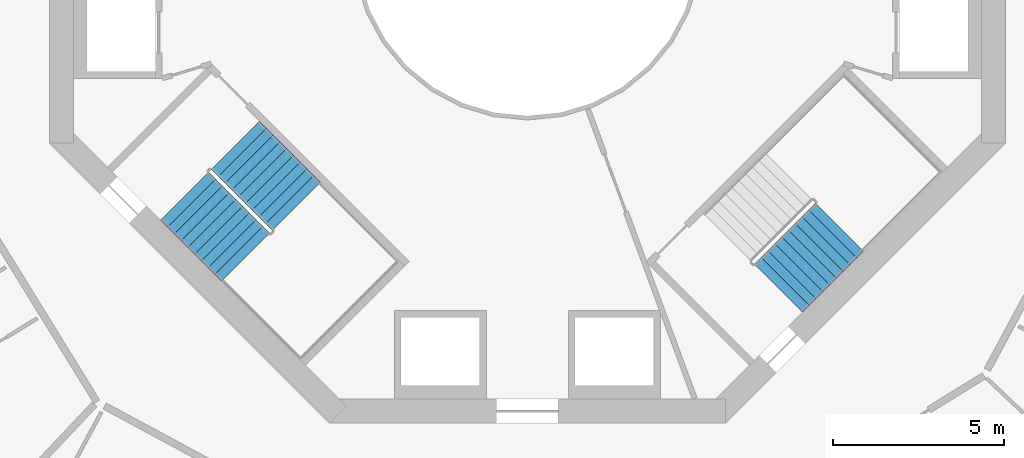
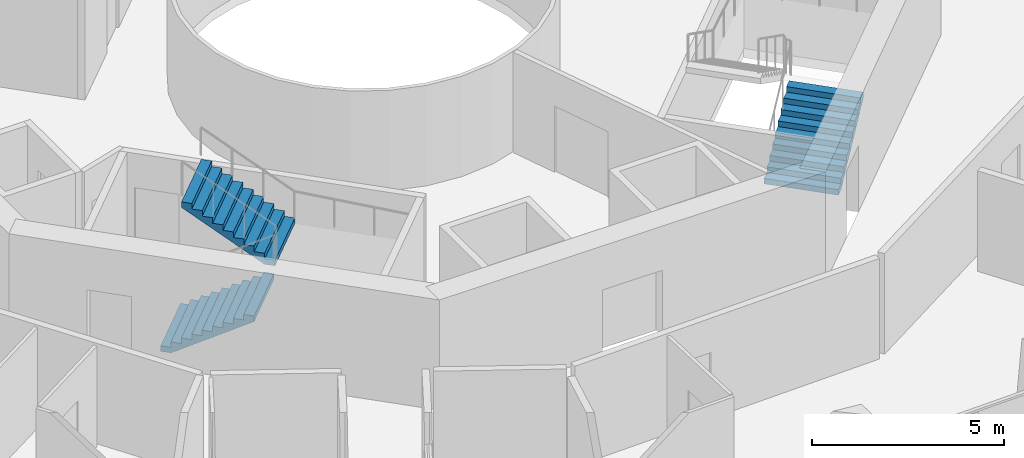
# One storey, part 20 of 22: 3 stair flights, 2 elements without a shape of their own.
"""IFC4 building model written with IfcOpenShell, lengths in metres."""

import ifcopenshell
import ifcopenshell.guid

model = None  # the IFC model being written
_history = None  # IfcOwnerHistory: only IFC2X3 demands one
_inside = {}  # id of a spatial element -> (the spatial element, [elements in it])
_under = {}  # id of a project, library or spatial element -> (it, [spatial elements below it])
_declared = {}  # id of a project -> (the project, [libraries it declares])
_typed = {}  # id of a type object -> (the type object, [elements of that type])
_made_of = {}  # id of a material, layer set ... -> (it, [elements and type objects made of it])


def new_model(schema):
    """Start an empty IFC model of exactly this schema.

    Asked for "IFC4X3", IfcOpenShell would pick the latest addendum, in which some entities
    have other attributes; the version numbers below select the first issue.
    IFC2X3 requires an IfcOwnerHistory on every rooted entity: one is made here for all.
    """
    global model, _history
    if schema == "IFC4X3":
        model = ifcopenshell.file(schema_version=(4, 3, 0, 0))
    else:
        model = ifcopenshell.file(schema=schema)
    _inside.clear()
    _under.clear()
    _declared.clear()
    _typed.clear()
    _made_of.clear()
    _history = None
    if model.schema == "IFC2X3":
        org = make("IfcOrganization", Name="unknown")
        user = make(
            "IfcPersonAndOrganization",
            ThePerson=make("IfcPerson", FamilyName="unknown"),
            TheOrganization=org,
        )
        app = make(
            "IfcApplication",
            ApplicationDeveloper=org,
            Version="unknown",
            ApplicationFullName="unknown",
            ApplicationIdentifier="unknown",
        )
        _history = make(
            "IfcOwnerHistory",
            OwningUser=user,
            OwningApplication=app,
            ChangeAction="ADDED",
            CreationDate=0,
        )
    return model


def make(cls, **values):
    """One entity of the class cls with the attributes given. An attribute that is None is left unset."""
    return model.create_entity(
        cls, **{name: value for name, value in values.items() if value is not None}
    )


def rooted(cls, **values):
    """An entity with a GlobalId (a new one), such as an element, a storey or a relation."""
    return make(cls, GlobalId=ifcopenshell.guid.new(), OwnerHistory=_history, **values)


def si_unit(unit_type, name, prefix=None):
    """IfcSIUnit, for example si_unit("LENGTHUNIT", "METRE", prefix="MILLI")."""
    return make("IfcSIUnit", UnitType=unit_type, Prefix=prefix, Name=name)


def assignment(units):
    """IfcUnitAssignment: the units of a project."""
    return None if units is None else make("IfcUnitAssignment", Units=units)


def point(xyz):
    """IfcCartesianPoint."""
    return None if xyz is None else make("IfcCartesianPoint", Coordinates=xyz)


def direction(xyz):
    """IfcDirection."""
    return None if xyz is None else make("IfcDirection", DirectionRatios=xyz)


def frame(location, z_axis=None, x_axis=None):
    """IfcAxis2Placement3D, a coordinate frame: its origin and axes. An axis left out is left unset."""
    return make(
        "IfcAxis2Placement3D",
        Location=point(location),
        Axis=direction(z_axis),
        RefDirection=direction(x_axis),
    )


def origin():
    """The frame at (0, 0, 0) with its axes left unset."""
    return frame((0.0, 0.0, 0.0))


def place(relative_to, where):
    """IfcLocalPlacement: puts the frame where relative to a parent placement (None: the world)."""
    return make(
        "IfcLocalPlacement", PlacementRelTo=relative_to, RelativePlacement=where
    )


def context(
    kind, dimensions, precision=None, world=None, true_north=None, identifier=None
):
    """IfcGeometricRepresentationContext, for example the 3D "Model" context."""
    return make(
        "IfcGeometricRepresentationContext",
        ContextIdentifier=identifier,
        ContextType=kind,
        CoordinateSpaceDimension=dimensions,
        Precision=precision,
        WorldCoordinateSystem=world,
        TrueNorth=true_north,
    )


def subcontext(parent, identifier, kind, view, scale=None):
    """IfcGeometricRepresentationSubContext, for example "Body" below "Model"."""
    return make(
        "IfcGeometricRepresentationSubContext",
        ContextIdentifier=identifier,
        ContextType=kind,
        ParentContext=parent,
        TargetScale=scale,
        TargetView=view,
    )


def project(units=None, contexts=None):
    """IfcProject with its units and contexts."""
    return rooted(
        "IfcProject",
        Name="project",
        RepresentationContexts=contexts,
        UnitsInContext=assignment(units),
    )


def spatial(cls, under=None, at=None, **own):
    """A site, building, storey or space (cls), placed at a placement, below another one or the project."""
    s = rooted(cls, ObjectPlacement=at, **own)
    if under is not None:
        _under.setdefault(under.id(), (under, []))[1].append(s)
    return s


def point_list(points):
    """IfcCartesianPointList2D or 3D."""
    cls = (
        "IfcCartesianPointList2D" if len(points[0]) == 2 else "IfcCartesianPointList3D"
    )
    return make(cls, CoordList=points)


def triangles(points, corners, closed=None, point_numbers=None):
    """IfcTriangulatedFaceSet: each triangle names its three corners, points numbered from 1."""
    return make(
        "IfcTriangulatedFaceSet",
        Coordinates=point_list(points),
        Closed=closed,
        CoordIndex=corners,
        PnIndex=point_numbers,
    )


def shape(context_of_items, identifier, shape_type, items):
    """IfcShapeRepresentation: the items that make up one representation, for example the "Body"."""
    return make(
        "IfcShapeRepresentation",
        ContextOfItems=context_of_items,
        RepresentationIdentifier=identifier,
        RepresentationType=shape_type,
        Items=items,
    )


def material(Name=None, Category=None):
    """IfcMaterial."""
    return make("IfcMaterial", Name=Name, Category=Category)


def made_of(thing, what):
    """Note that an element or type object is made of a material, layer set ...; save() writes the relation."""
    if what is not None:
        _made_of.setdefault(what.id(), (what, []))[1].append(thing)
    return thing


def type_object(cls, material=None, **own):
    """A type object (cls), such as IfcWallType, which elements share."""
    return made_of(rooted(cls, **own), material)


def element(
    cls,
    number,
    at=None,
    inside=None,
    cuts=None,
    type_object=None,
    material=None,
    context=None,
    identifier="Body",
    shape_type=None,
    held_by="IfcProductDefinitionShape",
    body=None,
    shapes=None,
    **own,
):
    """One element of the class cls, such as IfcWall. Its Tag is "e" and its number.

    at: its placement. inside: the storey or other place that contains it. cuts: it is an
    opening in that element (IfcRelVoidsElement). A single representation is given by context,
    identifier, shape_type and body (its items); several are given by shapes. held_by: the class
    of the entity that holds the representations. save() writes the other relations.
    """
    e = rooted(cls, Tag="e%d" % number, ObjectPlacement=at, **own)
    if body is not None:
        shapes = [shape(context, identifier, shape_type, body)]
    if shapes is not None:
        e.Representation = make(held_by, Representations=shapes)
    if inside is not None:
        _inside.setdefault(inside.id(), (inside, []))[1].append(e)
    if cuts is not None:
        rooted(
            "IfcRelVoidsElement", RelatingBuildingElement=cuts, RelatedOpeningElement=e
        )
    if type_object is not None:
        _typed.setdefault(type_object.id(), (type_object, []))[1].append(e)
    return made_of(e, material)


def aggregate(whole, parts):
    """IfcRelAggregates: a whole, such as a stair, and the parts it consists of."""
    return rooted("IfcRelAggregates", RelatingObject=whole, RelatedObjects=parts)


def save(model, path):
    """Write the relations noted so far, then the file.

    IfcRelAggregates (storeys below a building ...), IfcRelContainedInSpatialStructure (elements
    in a storey), IfcRelDefinesByType, IfcRelAssociatesMaterial and IfcRelDeclares: one each for
    every whole, place, type object, material and project.
    """
    for whole, parts in _under.values():
        aggregate(whole, parts)
    for where, things in _inside.values():
        rooted(
            "IfcRelContainedInSpatialStructure",
            RelatedElements=things,
            RelatingStructure=where,
        )
    for kind, things in _typed.values():
        rooted("IfcRelDefinesByType", RelatedObjects=things, RelatingType=kind)
    for what, things in _made_of.values():
        rooted("IfcRelAssociatesMaterial", RelatedObjects=things, RelatingMaterial=what)
    for by, libraries in _declared.values():
        rooted("IfcRelDeclares", RelatingContext=by, RelatedDefinitions=libraries)
    model.write(path)


model = new_model("IFC4")

# Units and contexts
model_context = context("Model", 3, precision=1e-05, world=origin(), true_north=direction((0.0, 1.0)))
body_context = subcontext(model_context, "Body", "Model", "MODEL_VIEW")
ifc_project = project(units=[si_unit("LENGTHUNIT", "METRE"), si_unit("AREAUNIT", "SQUARE_METRE"), si_unit("VOLUMEUNIT", "CUBIC_METRE"), si_unit("PLANEANGLEUNIT", "RADIAN"), si_unit("MASSUNIT", "GRAM", prefix="KILO")], contexts=[model_context])

# Site, building, storey
site_placement = place(None, origin())
site = spatial("IfcSite", under=ifc_project, at=site_placement, CompositionType="ELEMENT")
building_placement = place(site_placement, origin())
building = spatial("IfcBuilding", under=site, at=building_placement, Name="Verdalira Terraces Hotel", CompositionType="ELEMENT")
storey_placement = place(building_placement, frame((0.0, 0.0, 162.0)))
storey = spatial("IfcBuildingStorey", under=building, at=storey_placement, Name="L39", CompositionType="ELEMENT", Elevation=162.0)

# Stair, stair flights
ifc_material_1 = material(Name="Concrete C40", Category="concrete")
stair_type = type_object("IfcStairType", Name="Core stair 20 risers 2000 mm wide", PredefinedType="HALF_TURN_STAIR", material=ifc_material_1)
stair_1_placement = place(storey_placement, origin())
stair_1 = element("IfcStair", 1, at=stair_1_placement, inside=storey, type_object=stair_type, Name="L39 Exit stair ST2", PredefinedType="HALF_TURN_STAIR")
ifc_material_2 = material(Name="Concrete C40", Category="concrete")
stair_flight_type = type_object("IfcStairFlightType", Name="Core stair flight 20 risers 2000 mm wide", PredefinedType="STRAIGHT", material=ifc_material_2)
stair_flight_1_placement = place(storey_placement, frame((-10.041016, -7.354004, 0.0), z_axis=(0.0, 0.0, 1.0), x_axis=(0.707106781, -0.707106781, 0.0)))
stair_flight_1 = element("IfcStairFlight", 2, at=stair_flight_1_placement, type_object=stair_flight_type, Name="ST2 flight 1", NumberOfRisers=10, NumberOfTreads=9, PredefinedType="STRAIGHT", RiserHeight=0.175, TreadLength=0.28, context=body_context, shape_type="Tessellation", body=[
    triangles([(0.0, 1.0, 0.0), (0.282715, 1.0, 0.0), (2.52002, 1.0, 1.398193), (0.0, -1.0, 0.0), (0.282715, -1.0, 0.0), (2.52002, -1.0, 1.398193), (2.52002, 1.0, 1.574951), (2.23999, 1.0, 1.574951), (2.52002, -1.0, 1.574951), (2.23999, -1.0, 1.574951), (2.23999, 1.0, 1.399902), (2.23999, -1.0, 1.399902), (1.959961, 1.0, 1.399902), (1.959961, -1.0, 1.399902), (1.959961, 1.0, 1.225098), (1.959961, -1.0, 1.225098), (1.679932, 1.0, 1.225098), (1.679932, 1.0, 1.050049), (1.679932, -1.0, 1.225098), (1.679932, -1.0, 1.050049), (1.399902, 1.0, 1.050049), (1.399902, 1.0, 0.875), (1.399902, -1.0, 1.050049), (1.399902, -1.0, 0.875), (1.120117, 1.0, 0.875), (1.120117, 1.0, 0.699951), (1.120117, -1.0, 0.875), (1.120117, -1.0, 0.699951), (0.840088, 1.0, 0.699951), (0.840088, 1.0, 0.524902), (0.840088, -1.0, 0.699951), (0.840088, -1.0, 0.524902), (0.560059, 1.0, 0.524902), (0.560059, 1.0, 0.350098), (0.560059, -1.0, 0.524902), (0.560059, -1.0, 0.350098), (0.280029, 1.0, 0.350098), (0.280029, 1.0, 0.175049), (0.280029, -1.0, 0.350098), (0.280029, -1.0, 0.175049), (0.0, 1.0, 0.175049), (0.0, -1.0, 0.175049), (0.0, -0.9375, 0.0), (0.0, -0.9375, 0.175049), (0.0, -0.875, 0.0), (0.0, -0.875, 0.175049), (0.0, -0.8125, 0.0), (0.0, -0.8125, 0.175049), (0.0, -0.75, 0.0), (0.0, -0.75, 0.175049), (0.0, -0.6875, 0.0), (0.0, -0.6875, 0.175049), (0.0, -0.625, 0.0), (0.0, -0.625, 0.175049), (0.0, -0.5625, 0.0), (0.0, -0.5625, 0.175049), (0.0, -0.5, 0.0), (0.0, -0.5, 0.175049), (0.0, -0.4375, 0.0), (0.0, -0.4375, 0.175049), (0.0, -0.375, 0.0), (0.0, -0.375, 0.175049), (0.0, -0.3125, 0.0), (0.0, -0.3125, 0.175049), (0.0, -0.25, 0.0), (0.0, -0.25, 0.175049), (0.0, -0.1875, 0.0), (0.0, -0.1875, 0.175049), (0.0, -0.125, 0.0), (0.0, -0.125, 0.175049), (0.0, -0.0625, 0.0), (0.0, -0.0625, 0.175049), (0.0, 0.0, 0.0), (0.0, 0.0, 0.175049), (0.0, 0.0625, 0.0), (0.0, 0.0625, 0.175049), (0.0, 0.125, 0.0), (0.0, 0.125, 0.175049), (0.0, 0.1875, 0.0), (0.0, 0.1875, 0.175049), (0.0, 0.25, 0.0), (0.0, 0.25, 0.175049), (0.0, 0.3125, 0.0), (0.0, 0.3125, 0.175049), (0.0, 0.375, 0.0), (0.0, 0.375, 0.175049), (0.0, 0.4375, 0.0), (0.0, 0.4375, 0.175049), (0.0, 0.5, 0.0), (0.0, 0.5, 0.175049), (0.0, 0.5625, 0.0), (0.0, 0.5625, 0.175049), (0.0, 0.625, 0.0), (0.0, 0.625, 0.175049), (0.0, 0.6875, 0.0), (0.0, 0.6875, 0.175049), (0.0, 0.75, 0.0), (0.0, 0.75, 0.175049), (0.0, 0.8125, 0.0), (0.0, 0.8125, 0.175049), (0.0, 0.875, 0.0), (0.0, 0.875, 0.175049), (0.0, 0.9375, 0.0), (0.0, 0.9375, 0.175049), (2.52002, -0.9375, 1.574951), (2.52002, -0.875, 1.574951), (2.52002, -0.8125, 1.574951), (2.52002, -0.75, 1.574951), (2.52002, -0.6875, 1.574951), (2.52002, -0.625, 1.574951), (2.52002, -0.5625, 1.574951), (2.52002, -0.5, 1.574951), (2.52002, -0.4375, 1.574951), (2.52002, -0.375, 1.574951), (2.52002, -0.3125, 1.574951), (2.52002, -0.25, 1.574951), (2.52002, -0.1875, 1.574951), (2.52002, -0.125, 1.574951), (2.52002, -0.0625, 1.574951), (2.52002, 0.0, 1.574951), (2.52002, 0.0625, 1.574951), (2.52002, 0.125, 1.574951), (2.52002, 0.1875, 1.574951), (2.52002, 0.25, 1.574951), (2.52002, 0.3125, 1.574951), (2.52002, 0.375, 1.574951), (2.52002, 0.4375, 1.574951), (2.52002, 0.5, 1.574951), (2.52002, 0.5625, 1.574951), (2.52002, 0.625, 1.574951), (2.52002, 0.6875, 1.574951), (2.52002, 0.75, 1.574951), (2.52002, 0.8125, 1.574951), (2.52002, 0.875, 1.574951), (2.52002, 0.9375, 1.574951), (2.52002, -0.9375, 1.398193), (2.52002, -0.875, 1.398193), (2.52002, -0.8125, 1.398193), (2.52002, -0.75, 1.398193), (2.52002, -0.6875, 1.398193), (2.52002, -0.625, 1.398193), (2.52002, -0.5625, 1.398193), (2.52002, -0.5, 1.398193), (2.52002, -0.4375, 1.398193), (2.52002, -0.375, 1.398193), (2.52002, -0.3125, 1.398193), (2.52002, -0.25, 1.398193), (2.52002, -0.1875, 1.398193), (2.52002, -0.125, 1.398193), (2.52002, -0.0625, 1.398193), (2.52002, 0.0, 1.398193), (2.52002, 0.0625, 1.398193), (2.52002, 0.125, 1.398193), (2.52002, 0.1875, 1.398193), (2.52002, 0.25, 1.398193), (2.52002, 0.3125, 1.398193), (2.52002, 0.375, 1.398193), (2.52002, 0.4375, 1.398193), (2.52002, 0.5, 1.398193), (2.52002, 0.5625, 1.398193), (2.52002, 0.625, 1.398193), (2.52002, 0.6875, 1.398193), (2.52002, 0.75, 1.398193), (2.52002, 0.8125, 1.398193), (2.52002, 0.875, 1.398193), (2.52002, 0.9375, 1.398193)], [[1, 3, 2], [4, 5, 6], [3, 8, 7], [6, 9, 10], [3, 11, 8], [6, 10, 12], [3, 13, 11], [6, 12, 14], [3, 15, 13], [6, 14, 16], [15, 18, 17], [16, 19, 20], [3, 18, 15], [6, 16, 20], [18, 22, 21], [20, 23, 24], [3, 22, 18], [6, 20, 24], [22, 26, 25], [24, 27, 28], [3, 26, 22], [6, 24, 28], [26, 30, 29], [28, 31, 32], [3, 30, 26], [6, 28, 32], [1, 30, 3], [4, 6, 32], [30, 34, 33], [32, 35, 36], [34, 38, 37], [36, 39, 40], [30, 38, 34], [32, 36, 40], [1, 38, 30], [4, 32, 40], [38, 1, 41], [40, 42, 4], [4, 44, 43], [4, 42, 44], [43, 46, 45], [43, 44, 46], [45, 48, 47], [45, 46, 48], [47, 50, 49], [47, 48, 50], [49, 52, 51], [49, 50, 52], [51, 54, 53], [51, 52, 54], [53, 56, 55], [53, 54, 56], [55, 58, 57], [55, 56, 58], [57, 60, 59], [57, 58, 60], [59, 62, 61], [59, 60, 62], [61, 64, 63], [61, 62, 64], [63, 66, 65], [63, 64, 66], [65, 68, 67], [65, 66, 68], [67, 70, 69], [67, 68, 70], [69, 72, 71], [69, 70, 72], [71, 74, 73], [71, 72, 74], [73, 76, 75], [73, 74, 76], [75, 78, 77], [75, 76, 78], [77, 80, 79], [77, 78, 80], [79, 82, 81], [79, 80, 82], [81, 84, 83], [81, 82, 84], [83, 86, 85], [83, 84, 86], [85, 88, 87], [85, 86, 88], [87, 90, 89], [87, 88, 90], [89, 92, 91], [89, 90, 92], [91, 94, 93], [91, 92, 94], [93, 96, 95], [93, 94, 96], [95, 98, 97], [95, 96, 98], [97, 100, 99], [97, 98, 100], [99, 102, 101], [99, 100, 102], [101, 104, 103], [101, 102, 104], [103, 41, 1], [103, 104, 41], [42, 40, 44], [44, 40, 46], [46, 40, 48], [48, 40, 50], [50, 40, 52], [52, 40, 54], [54, 40, 56], [56, 40, 58], [58, 40, 60], [60, 40, 62], [62, 40, 64], [64, 40, 66], [66, 40, 68], [68, 40, 70], [70, 40, 72], [72, 40, 74], [74, 40, 76], [76, 40, 78], [78, 40, 80], [80, 40, 82], [82, 40, 84], [84, 40, 86], [86, 40, 88], [88, 40, 90], [90, 40, 92], [92, 40, 94], [94, 40, 96], [96, 40, 98], [98, 40, 100], [100, 40, 102], [102, 40, 104], [104, 40, 41], [41, 40, 38], [40, 37, 38], [40, 39, 37], [39, 34, 37], [39, 36, 34], [36, 33, 34], [36, 35, 33], [35, 30, 33], [35, 32, 30], [32, 29, 30], [32, 31, 29], [31, 26, 29], [31, 28, 26], [28, 25, 26], [28, 27, 25], [27, 22, 25], [27, 24, 22], [24, 21, 22], [24, 23, 21], [23, 18, 21], [23, 20, 18], [20, 17, 18], [20, 19, 17], [19, 15, 17], [19, 16, 15], [16, 13, 15], [16, 14, 13], [14, 11, 13], [14, 12, 11], [12, 8, 11], [12, 10, 8], [9, 105, 10], [105, 106, 10], [106, 107, 10], [107, 108, 10], [108, 109, 10], [109, 110, 10], [110, 111, 10], [111, 112, 10], [112, 113, 10], [113, 114, 10], [114, 115, 10], [115, 116, 10], [116, 117, 10], [117, 118, 10], [118, 119, 10], [119, 120, 10], [120, 121, 10], [121, 122, 10], [122, 123, 10], [123, 124, 10], [124, 125, 10], [125, 126, 10], [126, 127, 10], [127, 128, 10], [128, 129, 10], [129, 130, 10], [130, 131, 10], [131, 132, 10], [132, 133, 10], [133, 134, 10], [134, 135, 10], [135, 7, 10], [7, 8, 10], [9, 136, 105], [9, 6, 136], [105, 137, 106], [105, 136, 137], [106, 138, 107], [106, 137, 138], [107, 139, 108], [107, 138, 139], [108, 140, 109], [108, 139, 140], [109, 141, 110], [109, 140, 141], [110, 142, 111], [110, 141, 142], [111, 143, 112], [111, 142, 143], [112, 144, 113], [112, 143, 144], [113, 145, 114], [113, 144, 145], [114, 146, 115], [114, 145, 146], [115, 147, 116], [115, 146, 147], [116, 148, 117], [116, 147, 148], [117, 149, 118], [117, 148, 149], [118, 150, 119], [118, 149, 150], [119, 151, 120], [119, 150, 151], [120, 152, 121], [120, 151, 152], [121, 153, 122], [121, 152, 153], [122, 154, 123], [122, 153, 154], [123, 155, 124], [123, 154, 155], [124, 156, 125], [124, 155, 156], [125, 157, 126], [125, 156, 157], [126, 158, 127], [126, 157, 158], [127, 159, 128], [127, 158, 159], [128, 160, 129], [128, 159, 160], [129, 161, 130], [129, 160, 161], [130, 162, 131], [130, 161, 162], [131, 163, 132], [131, 162, 163], [132, 164, 133], [132, 163, 164], [133, 165, 134], [133, 164, 165], [134, 166, 135], [134, 165, 166], [135, 3, 7], [135, 166, 3], [6, 5, 136], [136, 5, 137], [137, 5, 138], [138, 5, 139], [139, 5, 140], [140, 5, 141], [141, 5, 142], [142, 5, 143], [143, 5, 144], [144, 5, 145], [145, 5, 146], [146, 5, 147], [147, 5, 148], [148, 5, 149], [149, 5, 150], [150, 5, 151], [151, 5, 152], [152, 5, 153], [153, 5, 154], [154, 5, 155], [155, 5, 156], [156, 5, 157], [157, 5, 158], [158, 5, 159], [159, 5, 160], [160, 5, 161], [161, 5, 162], [162, 5, 163], [163, 5, 164], [164, 5, 165], [165, 5, 166], [166, 5, 3], [3, 5, 2], [4, 43, 5], [43, 45, 5], [45, 47, 5], [47, 49, 5], [49, 51, 5], [51, 53, 5], [53, 55, 5], [55, 57, 5], [57, 59, 5], [59, 61, 5], [61, 63, 5], [63, 65, 5], [65, 67, 5], [67, 69, 5], [69, 71, 5], [71, 73, 5], [73, 75, 5], [75, 77, 5], [77, 79, 5], [79, 81, 5], [81, 83, 5], [83, 85, 5], [85, 87, 5], [87, 89, 5], [89, 91, 5], [91, 93, 5], [93, 95, 5], [95, 97, 5], [97, 99, 5], [99, 101, 5], [101, 103, 5], [103, 1, 5], [1, 2, 5]], closed=True),
])
stair_flight_2_placement = place(storey_placement, frame((-6.77417, -7.650879, 1.75), z_axis=(0.0, 0.0, 1.0), x_axis=(-0.707106781, 0.707106781, 0.0)))
stair_flight_2 = element("IfcStairFlight", 3, at=stair_flight_2_placement, type_object=stair_flight_type, Name="ST2 flight 2", NumberOfRisers=10, NumberOfTreads=9, PredefinedType="STRAIGHT", RiserHeight=0.175, TreadLength=0.28, context=body_context, shape_type="Tessellation", body=[
    triangles([(0.0, 1.0, 0.0), (0.282715, 1.0, 0.0), (2.52002, 1.0, 1.398193), (0.0, -1.0, 0.0), (0.282715, -1.0, 0.0), (2.52002, -1.0, 1.398193), (2.52002, 1.0, 1.574951), (2.23999, 1.0, 1.574951), (2.52002, -1.0, 1.574951), (2.23999, -1.0, 1.574951), (2.23999, 1.0, 1.399902), (2.23999, -1.0, 1.399902), (1.959961, 1.0, 1.399902), (1.959961, -1.0, 1.399902), (1.959961, 1.0, 1.225098), (1.959961, -1.0, 1.225098), (1.679932, 1.0, 1.225098), (1.679932, 1.0, 1.050049), (1.679932, -1.0, 1.225098), (1.679932, -1.0, 1.050049), (1.399902, 1.0, 1.050049), (1.399902, 1.0, 0.875), (1.399902, -1.0, 1.050049), (1.399902, -1.0, 0.875), (1.120117, 1.0, 0.875), (1.120117, 1.0, 0.699951), (1.120117, -1.0, 0.875), (1.120117, -1.0, 0.699951), (0.840088, 1.0, 0.699951), (0.840088, 1.0, 0.524902), (0.840088, -1.0, 0.699951), (0.840088, -1.0, 0.524902), (0.560059, 1.0, 0.524902), (0.560059, 1.0, 0.350098), (0.560059, -1.0, 0.524902), (0.560059, -1.0, 0.350098), (0.280029, 1.0, 0.350098), (0.280029, 1.0, 0.175049), (0.280029, -1.0, 0.350098), (0.280029, -1.0, 0.175049), (0.0, 1.0, 0.175049), (0.0, -1.0, 0.175049), (0.0, -0.9375, 0.0), (0.0, -0.9375, 0.175049), (0.0, -0.875, 0.0), (0.0, -0.875, 0.175049), (0.0, -0.8125, 0.0), (0.0, -0.8125, 0.175049), (0.0, -0.75, 0.0), (0.0, -0.75, 0.175049), (0.0, -0.6875, 0.0), (0.0, -0.6875, 0.175049), (0.0, -0.625, 0.0), (0.0, -0.625, 0.175049), (0.0, -0.5625, 0.0), (0.0, -0.5625, 0.175049), (0.0, -0.5, 0.0), (0.0, -0.5, 0.175049), (0.0, -0.4375, 0.0), (0.0, -0.4375, 0.175049), (0.0, -0.375, 0.0), (0.0, -0.375, 0.175049), (0.0, -0.3125, 0.0), (0.0, -0.3125, 0.175049), (0.0, -0.25, 0.0), (0.0, -0.25, 0.175049), (0.0, -0.1875, 0.0), (0.0, -0.1875, 0.175049), (0.0, -0.125, 0.0), (0.0, -0.125, 0.175049), (0.0, -0.0625, 0.0), (0.0, -0.0625, 0.175049), (0.0, 0.0, 0.0), (0.0, 0.0, 0.175049), (0.0, 0.0625, 0.0), (0.0, 0.0625, 0.175049), (0.0, 0.125, 0.0), (0.0, 0.125, 0.175049), (0.0, 0.1875, 0.0), (0.0, 0.1875, 0.175049), (0.0, 0.25, 0.0), (0.0, 0.25, 0.175049), (0.0, 0.3125, 0.0), (0.0, 0.3125, 0.175049), (0.0, 0.375, 0.0), (0.0, 0.375, 0.175049), (0.0, 0.4375, 0.0), (0.0, 0.4375, 0.175049), (0.0, 0.5, 0.0), (0.0, 0.5, 0.175049), (0.0, 0.5625, 0.0), (0.0, 0.5625, 0.175049), (0.0, 0.625, 0.0), (0.0, 0.625, 0.175049), (0.0, 0.6875, 0.0), (0.0, 0.6875, 0.175049), (0.0, 0.75, 0.0), (0.0, 0.75, 0.175049), (0.0, 0.8125, 0.0), (0.0, 0.8125, 0.175049), (0.0, 0.875, 0.0), (0.0, 0.875, 0.175049), (0.0, 0.9375, 0.0), (0.0, 0.9375, 0.175049), (2.52002, -0.9375, 1.574951), (2.52002, -0.875, 1.574951), (2.52002, -0.8125, 1.574951), (2.52002, -0.75, 1.574951), (2.52002, -0.6875, 1.574951), (2.52002, -0.625, 1.574951), (2.52002, -0.5625, 1.574951), (2.52002, -0.5, 1.574951), (2.52002, -0.4375, 1.574951), (2.52002, -0.375, 1.574951), (2.52002, -0.3125, 1.574951), (2.52002, -0.25, 1.574951), (2.52002, -0.1875, 1.574951), (2.52002, -0.125, 1.574951), (2.52002, -0.0625, 1.574951), (2.52002, 0.0, 1.574951), (2.52002, 0.0625, 1.574951), (2.52002, 0.125, 1.574951), (2.52002, 0.1875, 1.574951), (2.52002, 0.25, 1.574951), (2.52002, 0.3125, 1.574951), (2.52002, 0.375, 1.574951), (2.52002, 0.4375, 1.574951), (2.52002, 0.5, 1.574951), (2.52002, 0.5625, 1.574951), (2.52002, 0.625, 1.574951), (2.52002, 0.6875, 1.574951), (2.52002, 0.75, 1.574951), (2.52002, 0.8125, 1.574951), (2.52002, 0.875, 1.574951), (2.52002, 0.9375, 1.574951), (2.52002, -0.9375, 1.398193), (2.52002, -0.875, 1.398193), (2.52002, -0.8125, 1.398193), (2.52002, -0.75, 1.398193), (2.52002, -0.6875, 1.398193), (2.52002, -0.625, 1.398193), (2.52002, -0.5625, 1.398193), (2.52002, -0.5, 1.398193), (2.52002, -0.4375, 1.398193), (2.52002, -0.375, 1.398193), (2.52002, -0.3125, 1.398193), (2.52002, -0.25, 1.398193), (2.52002, -0.1875, 1.398193), (2.52002, -0.125, 1.398193), (2.52002, -0.0625, 1.398193), (2.52002, 0.0, 1.398193), (2.52002, 0.0625, 1.398193), (2.52002, 0.125, 1.398193), (2.52002, 0.1875, 1.398193), (2.52002, 0.25, 1.398193), (2.52002, 0.3125, 1.398193), (2.52002, 0.375, 1.398193), (2.52002, 0.4375, 1.398193), (2.52002, 0.5, 1.398193), (2.52002, 0.5625, 1.398193), (2.52002, 0.625, 1.398193), (2.52002, 0.6875, 1.398193), (2.52002, 0.75, 1.398193), (2.52002, 0.8125, 1.398193), (2.52002, 0.875, 1.398193), (2.52002, 0.9375, 1.398193)], [[1, 3, 2], [4, 5, 6], [3, 8, 7], [6, 9, 10], [3, 11, 8], [6, 10, 12], [3, 13, 11], [6, 12, 14], [3, 15, 13], [6, 14, 16], [15, 18, 17], [16, 19, 20], [3, 18, 15], [6, 16, 20], [18, 22, 21], [20, 23, 24], [3, 22, 18], [6, 20, 24], [22, 26, 25], [24, 27, 28], [3, 26, 22], [6, 24, 28], [26, 30, 29], [28, 31, 32], [3, 30, 26], [6, 28, 32], [1, 30, 3], [4, 6, 32], [30, 34, 33], [32, 35, 36], [34, 38, 37], [36, 39, 40], [30, 38, 34], [32, 36, 40], [1, 38, 30], [4, 32, 40], [38, 1, 41], [40, 42, 4], [4, 44, 43], [4, 42, 44], [43, 46, 45], [43, 44, 46], [45, 48, 47], [45, 46, 48], [47, 50, 49], [47, 48, 50], [49, 52, 51], [49, 50, 52], [51, 54, 53], [51, 52, 54], [53, 56, 55], [53, 54, 56], [55, 58, 57], [55, 56, 58], [57, 60, 59], [57, 58, 60], [59, 62, 61], [59, 60, 62], [61, 64, 63], [61, 62, 64], [63, 66, 65], [63, 64, 66], [65, 68, 67], [65, 66, 68], [67, 70, 69], [67, 68, 70], [69, 72, 71], [69, 70, 72], [71, 74, 73], [71, 72, 74], [73, 76, 75], [73, 74, 76], [75, 78, 77], [75, 76, 78], [77, 80, 79], [77, 78, 80], [79, 82, 81], [79, 80, 82], [81, 84, 83], [81, 82, 84], [83, 86, 85], [83, 84, 86], [85, 88, 87], [85, 86, 88], [87, 90, 89], [87, 88, 90], [89, 92, 91], [89, 90, 92], [91, 94, 93], [91, 92, 94], [93, 96, 95], [93, 94, 96], [95, 98, 97], [95, 96, 98], [97, 100, 99], [97, 98, 100], [99, 102, 101], [99, 100, 102], [101, 104, 103], [101, 102, 104], [103, 41, 1], [103, 104, 41], [42, 40, 44], [44, 40, 46], [46, 40, 48], [48, 40, 50], [50, 40, 52], [52, 40, 54], [54, 40, 56], [56, 40, 58], [58, 40, 60], [60, 40, 62], [62, 40, 64], [64, 40, 66], [66, 40, 68], [68, 40, 70], [70, 40, 72], [72, 40, 74], [74, 40, 76], [76, 40, 78], [78, 40, 80], [80, 40, 82], [82, 40, 84], [84, 40, 86], [86, 40, 88], [88, 40, 90], [90, 40, 92], [92, 40, 94], [94, 40, 96], [96, 40, 98], [98, 40, 100], [100, 40, 102], [102, 40, 104], [104, 40, 41], [41, 40, 38], [40, 37, 38], [40, 39, 37], [39, 34, 37], [39, 36, 34], [36, 33, 34], [36, 35, 33], [35, 30, 33], [35, 32, 30], [32, 29, 30], [32, 31, 29], [31, 26, 29], [31, 28, 26], [28, 25, 26], [28, 27, 25], [27, 22, 25], [27, 24, 22], [24, 21, 22], [24, 23, 21], [23, 18, 21], [23, 20, 18], [20, 17, 18], [20, 19, 17], [19, 15, 17], [19, 16, 15], [16, 13, 15], [16, 14, 13], [14, 11, 13], [14, 12, 11], [12, 8, 11], [12, 10, 8], [9, 105, 10], [105, 106, 10], [106, 107, 10], [107, 108, 10], [108, 109, 10], [109, 110, 10], [110, 111, 10], [111, 112, 10], [112, 113, 10], [113, 114, 10], [114, 115, 10], [115, 116, 10], [116, 117, 10], [117, 118, 10], [118, 119, 10], [119, 120, 10], [120, 121, 10], [121, 122, 10], [122, 123, 10], [123, 124, 10], [124, 125, 10], [125, 126, 10], [126, 127, 10], [127, 128, 10], [128, 129, 10], [129, 130, 10], [130, 131, 10], [131, 132, 10], [132, 133, 10], [133, 134, 10], [134, 135, 10], [135, 7, 10], [7, 8, 10], [9, 136, 105], [9, 6, 136], [105, 137, 106], [105, 136, 137], [106, 138, 107], [106, 137, 138], [107, 139, 108], [107, 138, 139], [108, 140, 109], [108, 139, 140], [109, 141, 110], [109, 140, 141], [110, 142, 111], [110, 141, 142], [111, 143, 112], [111, 142, 143], [112, 144, 113], [112, 143, 144], [113, 145, 114], [113, 144, 145], [114, 146, 115], [114, 145, 146], [115, 147, 116], [115, 146, 147], [116, 148, 117], [116, 147, 148], [117, 149, 118], [117, 148, 149], [118, 150, 119], [118, 149, 150], [119, 151, 120], [119, 150, 151], [120, 152, 121], [120, 151, 152], [121, 153, 122], [121, 152, 153], [122, 154, 123], [122, 153, 154], [123, 155, 124], [123, 154, 155], [124, 156, 125], [124, 155, 156], [125, 157, 126], [125, 156, 157], [126, 158, 127], [126, 157, 158], [127, 159, 128], [127, 158, 159], [128, 160, 129], [128, 159, 160], [129, 161, 130], [129, 160, 161], [130, 162, 131], [130, 161, 162], [131, 163, 132], [131, 162, 163], [132, 164, 133], [132, 163, 164], [133, 165, 134], [133, 164, 165], [134, 166, 135], [134, 165, 166], [135, 3, 7], [135, 166, 3], [6, 5, 136], [136, 5, 137], [137, 5, 138], [138, 5, 139], [139, 5, 140], [140, 5, 141], [141, 5, 142], [142, 5, 143], [143, 5, 144], [144, 5, 145], [145, 5, 146], [146, 5, 147], [147, 5, 148], [148, 5, 149], [149, 5, 150], [150, 5, 151], [151, 5, 152], [152, 5, 153], [153, 5, 154], [154, 5, 155], [155, 5, 156], [156, 5, 157], [157, 5, 158], [158, 5, 159], [159, 5, 160], [160, 5, 161], [161, 5, 162], [162, 5, 163], [163, 5, 164], [164, 5, 165], [165, 5, 166], [166, 5, 3], [3, 5, 2], [4, 43, 5], [43, 45, 5], [45, 47, 5], [47, 49, 5], [49, 51, 5], [51, 53, 5], [53, 55, 5], [55, 57, 5], [57, 59, 5], [59, 61, 5], [61, 63, 5], [63, 65, 5], [65, 67, 5], [67, 69, 5], [69, 71, 5], [71, 73, 5], [73, 75, 5], [75, 77, 5], [77, 79, 5], [79, 81, 5], [81, 83, 5], [83, 85, 5], [85, 87, 5], [87, 89, 5], [89, 91, 5], [91, 93, 5], [93, 95, 5], [95, 97, 5], [97, 99, 5], [99, 101, 5], [101, 103, 5], [103, 1, 5], [1, 2, 5]], closed=True),
])
aggregate(stair_1, [stair_flight_1, stair_flight_2])

# Stair, stair flight
stair_2_placement = place(storey_placement, origin())
stair_2 = element("IfcStair", 4, at=stair_2_placement, inside=storey, type_object=stair_type, Name="L39 Exit stair ST3", PredefinedType="HALF_TURN_STAIR")
stair_flight_3_placement = place(storey_placement, frame((7.354004, -10.041016, 0.0), z_axis=(0.0, 0.0, 1.0), x_axis=(0.707106781, 0.707106781, 0.0)))
stair_flight_3 = element("IfcStairFlight", 5, at=stair_flight_3_placement, type_object=stair_flight_type, Name="ST3 flight 1", NumberOfRisers=10, NumberOfTreads=9, PredefinedType="STRAIGHT", RiserHeight=0.175, TreadLength=0.28, context=body_context, shape_type="Tessellation", body=[
    triangles([(0.0, 1.0, 0.0), (0.282715, 1.0, 0.0), (2.52002, 1.0, 1.398193), (0.0, -1.0, 0.0), (0.282715, -1.0, 0.0), (2.52002, -1.0, 1.398193), (2.52002, 1.0, 1.574951), (2.23999, 1.0, 1.574951), (2.52002, -1.0, 1.574951), (2.23999, -1.0, 1.574951), (2.23999, 1.0, 1.399902), (2.23999, -1.0, 1.399902), (1.959961, 1.0, 1.399902), (1.959961, -1.0, 1.399902), (1.959961, 1.0, 1.225098), (1.959961, -1.0, 1.225098), (1.679932, 1.0, 1.225098), (1.679932, 1.0, 1.050049), (1.679932, -1.0, 1.225098), (1.679932, -1.0, 1.050049), (1.399902, 1.0, 1.050049), (1.399902, 1.0, 0.875), (1.399902, -1.0, 1.050049), (1.399902, -1.0, 0.875), (1.120117, 1.0, 0.875), (1.120117, 1.0, 0.699951), (1.120117, -1.0, 0.875), (1.120117, -1.0, 0.699951), (0.840088, 1.0, 0.699951), (0.840088, 1.0, 0.524902), (0.840088, -1.0, 0.699951), (0.840088, -1.0, 0.524902), (0.560059, 1.0, 0.524902), (0.560059, 1.0, 0.350098), (0.560059, -1.0, 0.524902), (0.560059, -1.0, 0.350098), (0.280029, 1.0, 0.350098), (0.280029, 1.0, 0.175049), (0.280029, -1.0, 0.350098), (0.280029, -1.0, 0.175049), (0.0, 1.0, 0.175049), (0.0, -1.0, 0.175049), (0.0, -0.9375, 0.0), (0.0, -0.9375, 0.175049), (0.0, -0.875, 0.0), (0.0, -0.875, 0.175049), (0.0, -0.8125, 0.0), (0.0, -0.8125, 0.175049), (0.0, -0.75, 0.0), (0.0, -0.75, 0.175049), (0.0, -0.6875, 0.0), (0.0, -0.6875, 0.175049), (0.0, -0.625, 0.0), (0.0, -0.625, 0.175049), (0.0, -0.5625, 0.0), (0.0, -0.5625, 0.175049), (0.0, -0.5, 0.0), (0.0, -0.5, 0.175049), (0.0, -0.4375, 0.0), (0.0, -0.4375, 0.175049), (0.0, -0.375, 0.0), (0.0, -0.375, 0.175049), (0.0, -0.3125, 0.0), (0.0, -0.3125, 0.175049), (0.0, -0.25, 0.0), (0.0, -0.25, 0.175049), (0.0, -0.1875, 0.0), (0.0, -0.1875, 0.175049), (0.0, -0.125, 0.0), (0.0, -0.125, 0.175049), (0.0, -0.0625, 0.0), (0.0, -0.0625, 0.175049), (0.0, 0.0, 0.0), (0.0, 0.0, 0.175049), (0.0, 0.0625, 0.0), (0.0, 0.0625, 0.175049), (0.0, 0.125, 0.0), (0.0, 0.125, 0.175049), (0.0, 0.1875, 0.0), (0.0, 0.1875, 0.175049), (0.0, 0.25, 0.0), (0.0, 0.25, 0.175049), (0.0, 0.3125, 0.0), (0.0, 0.3125, 0.175049), (0.0, 0.375, 0.0), (0.0, 0.375, 0.175049), (0.0, 0.4375, 0.0), (0.0, 0.4375, 0.175049), (0.0, 0.5, 0.0), (0.0, 0.5, 0.175049), (0.0, 0.5625, 0.0), (0.0, 0.5625, 0.175049), (0.0, 0.625, 0.0), (0.0, 0.625, 0.175049), (0.0, 0.6875, 0.0), (0.0, 0.6875, 0.175049), (0.0, 0.75, 0.0), (0.0, 0.75, 0.175049), (0.0, 0.8125, 0.0), (0.0, 0.8125, 0.175049), (0.0, 0.875, 0.0), (0.0, 0.875, 0.175049), (0.0, 0.9375, 0.0), (0.0, 0.9375, 0.175049), (2.52002, -0.9375, 1.574951), (2.52002, -0.875, 1.574951), (2.52002, -0.8125, 1.574951), (2.52002, -0.75, 1.574951), (2.52002, -0.6875, 1.574951), (2.52002, -0.625, 1.574951), (2.52002, -0.5625, 1.574951), (2.52002, -0.5, 1.574951), (2.52002, -0.4375, 1.574951), (2.52002, -0.375, 1.574951), (2.52002, -0.3125, 1.574951), (2.52002, -0.25, 1.574951), (2.52002, -0.1875, 1.574951), (2.52002, -0.125, 1.574951), (2.52002, -0.0625, 1.574951), (2.52002, 0.0, 1.574951), (2.52002, 0.0625, 1.574951), (2.52002, 0.125, 1.574951), (2.52002, 0.1875, 1.574951), (2.52002, 0.25, 1.574951), (2.52002, 0.3125, 1.574951), (2.52002, 0.375, 1.574951), (2.52002, 0.4375, 1.574951), (2.52002, 0.5, 1.574951), (2.52002, 0.5625, 1.574951), (2.52002, 0.625, 1.574951), (2.52002, 0.6875, 1.574951), (2.52002, 0.75, 1.574951), (2.52002, 0.8125, 1.574951), (2.52002, 0.875, 1.574951), (2.52002, 0.9375, 1.574951), (2.52002, -0.9375, 1.398193), (2.52002, -0.875, 1.398193), (2.52002, -0.8125, 1.398193), (2.52002, -0.75, 1.398193), (2.52002, -0.6875, 1.398193), (2.52002, -0.625, 1.398193), (2.52002, -0.5625, 1.398193), (2.52002, -0.5, 1.398193), (2.52002, -0.4375, 1.398193), (2.52002, -0.375, 1.398193), (2.52002, -0.3125, 1.398193), (2.52002, -0.25, 1.398193), (2.52002, -0.1875, 1.398193), (2.52002, -0.125, 1.398193), (2.52002, -0.0625, 1.398193), (2.52002, 0.0, 1.398193), (2.52002, 0.0625, 1.398193), (2.52002, 0.125, 1.398193), (2.52002, 0.1875, 1.398193), (2.52002, 0.25, 1.398193), (2.52002, 0.3125, 1.398193), (2.52002, 0.375, 1.398193), (2.52002, 0.4375, 1.398193), (2.52002, 0.5, 1.398193), (2.52002, 0.5625, 1.398193), (2.52002, 0.625, 1.398193), (2.52002, 0.6875, 1.398193), (2.52002, 0.75, 1.398193), (2.52002, 0.8125, 1.398193), (2.52002, 0.875, 1.398193), (2.52002, 0.9375, 1.398193)], [[1, 3, 2], [4, 5, 6], [3, 8, 7], [6, 9, 10], [3, 11, 8], [6, 10, 12], [3, 13, 11], [6, 12, 14], [3, 15, 13], [6, 14, 16], [15, 18, 17], [16, 19, 20], [3, 18, 15], [6, 16, 20], [18, 22, 21], [20, 23, 24], [3, 22, 18], [6, 20, 24], [22, 26, 25], [24, 27, 28], [3, 26, 22], [6, 24, 28], [26, 30, 29], [28, 31, 32], [3, 30, 26], [6, 28, 32], [1, 30, 3], [4, 6, 32], [30, 34, 33], [32, 35, 36], [34, 38, 37], [36, 39, 40], [30, 38, 34], [32, 36, 40], [1, 38, 30], [4, 32, 40], [38, 1, 41], [40, 42, 4], [4, 44, 43], [4, 42, 44], [43, 46, 45], [43, 44, 46], [45, 48, 47], [45, 46, 48], [47, 50, 49], [47, 48, 50], [49, 52, 51], [49, 50, 52], [51, 54, 53], [51, 52, 54], [53, 56, 55], [53, 54, 56], [55, 58, 57], [55, 56, 58], [57, 60, 59], [57, 58, 60], [59, 62, 61], [59, 60, 62], [61, 64, 63], [61, 62, 64], [63, 66, 65], [63, 64, 66], [65, 68, 67], [65, 66, 68], [67, 70, 69], [67, 68, 70], [69, 72, 71], [69, 70, 72], [71, 74, 73], [71, 72, 74], [73, 76, 75], [73, 74, 76], [75, 78, 77], [75, 76, 78], [77, 80, 79], [77, 78, 80], [79, 82, 81], [79, 80, 82], [81, 84, 83], [81, 82, 84], [83, 86, 85], [83, 84, 86], [85, 88, 87], [85, 86, 88], [87, 90, 89], [87, 88, 90], [89, 92, 91], [89, 90, 92], [91, 94, 93], [91, 92, 94], [93, 96, 95], [93, 94, 96], [95, 98, 97], [95, 96, 98], [97, 100, 99], [97, 98, 100], [99, 102, 101], [99, 100, 102], [101, 104, 103], [101, 102, 104], [103, 41, 1], [103, 104, 41], [42, 40, 44], [44, 40, 46], [46, 40, 48], [48, 40, 50], [50, 40, 52], [52, 40, 54], [54, 40, 56], [56, 40, 58], [58, 40, 60], [60, 40, 62], [62, 40, 64], [64, 40, 66], [66, 40, 68], [68, 40, 70], [70, 40, 72], [72, 40, 74], [74, 40, 76], [76, 40, 78], [78, 40, 80], [80, 40, 82], [82, 40, 84], [84, 40, 86], [86, 40, 88], [88, 40, 90], [90, 40, 92], [92, 40, 94], [94, 40, 96], [96, 40, 98], [98, 40, 100], [100, 40, 102], [102, 40, 104], [104, 40, 41], [41, 40, 38], [40, 37, 38], [40, 39, 37], [39, 34, 37], [39, 36, 34], [36, 33, 34], [36, 35, 33], [35, 30, 33], [35, 32, 30], [32, 29, 30], [32, 31, 29], [31, 26, 29], [31, 28, 26], [28, 25, 26], [28, 27, 25], [27, 22, 25], [27, 24, 22], [24, 21, 22], [24, 23, 21], [23, 18, 21], [23, 20, 18], [20, 17, 18], [20, 19, 17], [19, 15, 17], [19, 16, 15], [16, 13, 15], [16, 14, 13], [14, 11, 13], [14, 12, 11], [12, 8, 11], [12, 10, 8], [9, 105, 10], [105, 106, 10], [106, 107, 10], [107, 108, 10], [108, 109, 10], [109, 110, 10], [110, 111, 10], [111, 112, 10], [112, 113, 10], [113, 114, 10], [114, 115, 10], [115, 116, 10], [116, 117, 10], [117, 118, 10], [118, 119, 10], [119, 120, 10], [120, 121, 10], [121, 122, 10], [122, 123, 10], [123, 124, 10], [124, 125, 10], [125, 126, 10], [126, 127, 10], [127, 128, 10], [128, 129, 10], [129, 130, 10], [130, 131, 10], [131, 132, 10], [132, 133, 10], [133, 134, 10], [134, 135, 10], [135, 7, 10], [7, 8, 10], [9, 136, 105], [9, 6, 136], [105, 137, 106], [105, 136, 137], [106, 138, 107], [106, 137, 138], [107, 139, 108], [107, 138, 139], [108, 140, 109], [108, 139, 140], [109, 141, 110], [109, 140, 141], [110, 142, 111], [110, 141, 142], [111, 143, 112], [111, 142, 143], [112, 144, 113], [112, 143, 144], [113, 145, 114], [113, 144, 145], [114, 146, 115], [114, 145, 146], [115, 147, 116], [115, 146, 147], [116, 148, 117], [116, 147, 148], [117, 149, 118], [117, 148, 149], [118, 150, 119], [118, 149, 150], [119, 151, 120], [119, 150, 151], [120, 152, 121], [120, 151, 152], [121, 153, 122], [121, 152, 153], [122, 154, 123], [122, 153, 154], [123, 155, 124], [123, 154, 155], [124, 156, 125], [124, 155, 156], [125, 157, 126], [125, 156, 157], [126, 158, 127], [126, 157, 158], [127, 159, 128], [127, 158, 159], [128, 160, 129], [128, 159, 160], [129, 161, 130], [129, 160, 161], [130, 162, 131], [130, 161, 162], [131, 163, 132], [131, 162, 163], [132, 164, 133], [132, 163, 164], [133, 165, 134], [133, 164, 165], [134, 166, 135], [134, 165, 166], [135, 3, 7], [135, 166, 3], [6, 5, 136], [136, 5, 137], [137, 5, 138], [138, 5, 139], [139, 5, 140], [140, 5, 141], [141, 5, 142], [142, 5, 143], [143, 5, 144], [144, 5, 145], [145, 5, 146], [146, 5, 147], [147, 5, 148], [148, 5, 149], [149, 5, 150], [150, 5, 151], [151, 5, 152], [152, 5, 153], [153, 5, 154], [154, 5, 155], [155, 5, 156], [156, 5, 157], [157, 5, 158], [158, 5, 159], [159, 5, 160], [160, 5, 161], [161, 5, 162], [162, 5, 163], [163, 5, 164], [164, 5, 165], [165, 5, 166], [166, 5, 3], [3, 5, 2], [4, 43, 5], [43, 45, 5], [45, 47, 5], [47, 49, 5], [49, 51, 5], [51, 53, 5], [53, 55, 5], [55, 57, 5], [57, 59, 5], [59, 61, 5], [61, 63, 5], [63, 65, 5], [65, 67, 5], [67, 69, 5], [69, 71, 5], [71, 73, 5], [73, 75, 5], [75, 77, 5], [77, 79, 5], [79, 81, 5], [81, 83, 5], [83, 85, 5], [85, 87, 5], [87, 89, 5], [89, 91, 5], [91, 93, 5], [93, 95, 5], [95, 97, 5], [97, 99, 5], [99, 101, 5], [101, 103, 5], [103, 1, 5], [1, 2, 5]], closed=True),
])
aggregate(stair_2, [stair_flight_3])

save(model, "model.ifc")
